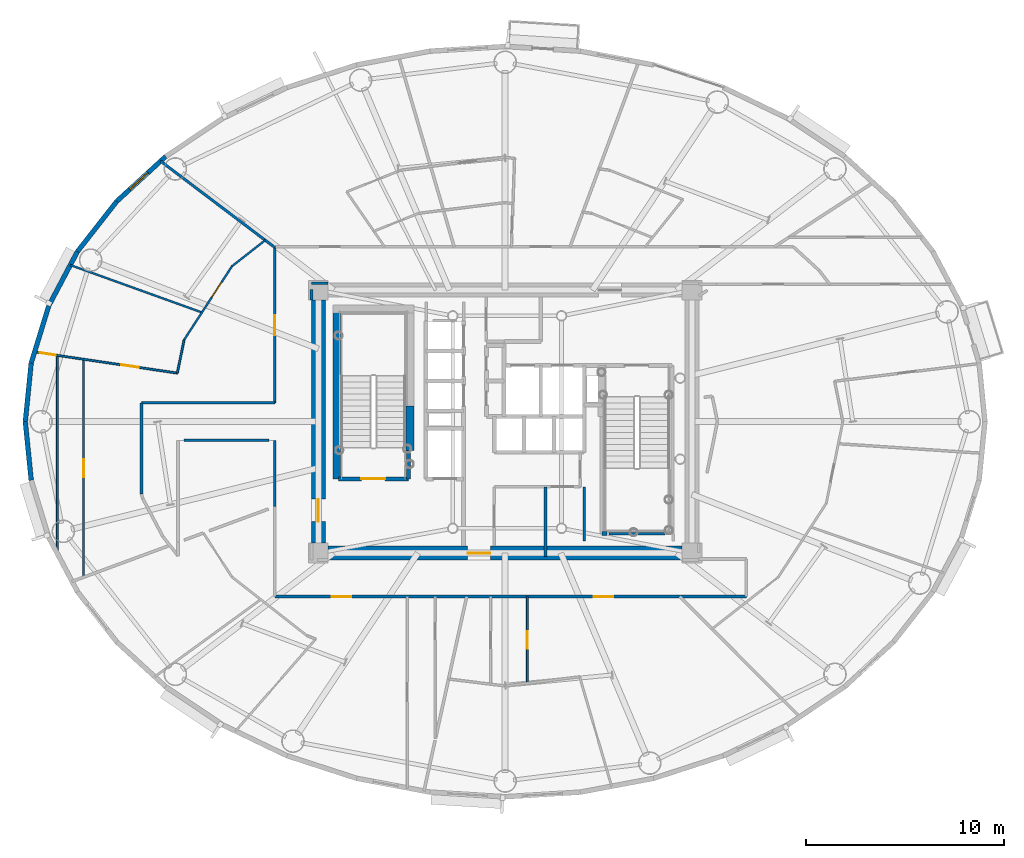
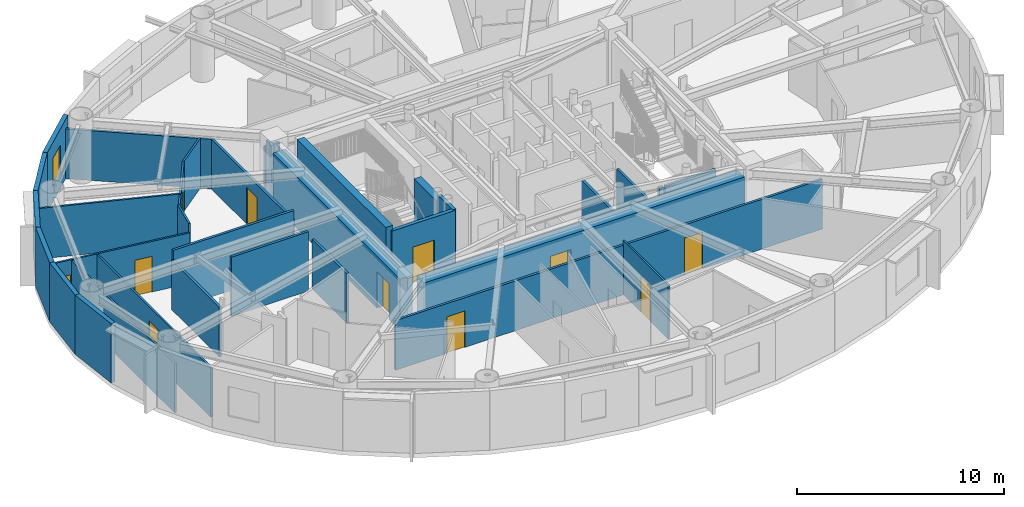
# One storey, part 10 of 22: 33 walls, 11 doors, 1 window, 12 openings.
"""IFC4 building model written with IfcOpenShell, lengths in metres."""

from ifc_helpers import new_model, si_unit, direction, frame, frame_2d, origin, origin_2d, place, context, subcontext, project, spatial, rectangle, extrude, source, transform, mapped, material, layer, layer_set, type_object, element, fill, save


model = new_model("IFC4")

# Units and contexts
model_context = context("Model", 3, precision=1e-05, world=origin(), true_north=direction((0.0, 1.0)))
body_context = subcontext(model_context, "Body", "Model", "MODEL_VIEW")
ifc_project = project(units=[si_unit("LENGTHUNIT", "METRE"), si_unit("AREAUNIT", "SQUARE_METRE"), si_unit("VOLUMEUNIT", "CUBIC_METRE"), si_unit("PLANEANGLEUNIT", "RADIAN"), si_unit("MASSUNIT", "GRAM", prefix="KILO")], contexts=[model_context])

# Site, building, storey
site_placement = place(None, origin())
site = spatial("IfcSite", under=ifc_project, at=site_placement, CompositionType="ELEMENT")
building_placement = place(site_placement, origin())
building = spatial("IfcBuilding", under=site, at=building_placement, Name="Linh Dai School and Residence Tower", CompositionType="ELEMENT")
storey_placement = place(building_placement, frame((0.0, 0.0, 214.050048828125)))
storey = spatial("IfcBuildingStorey", under=building, at=storey_placement, Name="L52", CompositionType="ELEMENT", Elevation=214.050048828125)

# Wall, opening, window
ifc_material_1 = material(Name="Precast Concrete B45 (C35/45)", Category="concrete")
ifc_layer_1 = layer(ifc_material_1, 0.239990234375)
ifc_layer_set_1 = layer_set([ifc_layer_1], Name="Precast Concrete B45 (C35/45)")
wall_type_1 = type_object("IfcWallType", Name="EW-TC-240", PredefinedType="SOLIDWALL", material=ifc_layer_set_1)
wall_1_placement = place(storey_placement, frame((16.3515625, 38.14453125, 0.0), z_axis=(0.0, 0.0, 1.0), x_axis=(0.737123922599, 0.675757591694, 0.0)))
wall_1 = element("IfcWall", 1, at=wall_1_placement, inside=storey, type_object=wall_type_1, Name="L52 Terracotta Exterior Wall 16", PredefinedType="SOLIDWALL", context=body_context, shape_type="SweptSolid", body=[
    extrude(rectangle(XDim=3.353759765625, YDim=0.239990234375, at=frame_2d((1.6767578125, 0.0))), origin(), (0.0, 0.0, 1.0), 3.5),
])
opening_1_placement = place(wall_1_placement, frame((0.8955078125, 0.0, 0.89990234375)))
opening_1 = element("IfcOpeningElement", 2, at=opening_1_placement, cuts=wall_1, Name="Opening W3", PredefinedType="OPENING", context=body_context, shape_type="SweptSolid", body=[
    extrude(rectangle(XDim=1.25, YDim=1.64990234375, at=origin_2d()), frame((0.625, 0.1298828125, 0.824951171875), z_axis=(0.0, -1.0, 0.0), x_axis=(1.0, 0.0, 0.0)), (0.0, 0.0, 1.0), 0.260009765625),
])
ifc_material_2 = material(Name="Double Low-E Insulated Glazing", Category="glass")
window_type = type_object("IfcWindowType", Name="WN-RES-1250x1650", PartitioningType="SINGLE_PANEL", PredefinedType="WINDOW", material=ifc_material_2)
shared_shape_1 = source(origin(), body_context, "Body", "SweptSolid", [
    extrude(rectangle(XDim=1.25, YDim=1.64990234375, at=origin_2d()), frame((0.625, 0.030029296875, 0.824951171875), z_axis=(0.0, -1.0, 0.0), x_axis=(1.0, 0.0, 0.0)), (0.0, 0.0, 1.0), 0.06005859375),
])
window_placement = place(opening_1_placement, origin())
window = element("IfcWindow", 3, at=window_placement, inside=storey, type_object=window_type, Name="L52 Exterior Window 16.1", OverallHeight=1.64990234375, OverallWidth=1.25, PartitioningType="SINGLE_PANEL", PredefinedType="WINDOW", context=body_context, shape_type="MappedRepresentation", body=[
    mapped(shared_shape_1, transform((0.0, 0.0, 0.0), x_axis=(1.0, 0.0, 0.0), y_axis=(0.0, 1.0, 0.0), z_axis=(0.0, 0.0, 1.0), scale=1.0)),
])
fill(opening_1, window)

# Walls
wall_2_placement = place(storey_placement, frame((14.3642578125, 35.605224609375, 0.0), z_axis=(0.0, 0.0, 1.0), x_axis=(0.616312344705, 0.787501805562, 0.0)))
element("IfcWall", 4, at=wall_2_placement, inside=storey, type_object=wall_type_1, Name="L52 Terracotta Exterior Wall 17", PredefinedType="SOLIDWALL", context=body_context, shape_type="SweptSolid", body=[
    extrude(rectangle(XDim=3.224609375, YDim=0.239990234375, at=frame_2d((1.6123046875, 0.0))), origin(), (0.0, 0.0, 1.0), 3.5),
])
wall_3_placement = place(storey_placement, frame((12.90966796875, 32.85595703125, 0.0), z_axis=(0.0, 0.0, 1.0), x_axis=(0.46766049993, 0.883908172157, 0.0)))
element("IfcWall", 5, at=wall_3_placement, inside=storey, type_object=wall_type_1, Name="L52 Terracotta Exterior Wall 18", PredefinedType="SOLIDWALL", context=body_context, shape_type="SweptSolid", body=[
    extrude(rectangle(XDim=3.1103515625, YDim=0.239990234375, at=frame_2d((1.55517578125, 0.0))), origin(), (0.0, 0.0, 1.0), 3.5),
])
wall_4_placement = place(storey_placement, frame((12.02294921875, 29.9638671875, 0.0), z_axis=(0.0, 0.0, 1.0), x_axis=(0.293132907334, 0.95607170162, 0.0)))
element("IfcWall", 6, at=wall_4_placement, inside=storey, type_object=wall_type_1, Name="L52 Terracotta Exterior Wall 19", PredefinedType="SOLIDWALL", context=body_context, shape_type="SweptSolid", body=[
    extrude(rectangle(XDim=3.02490234375, YDim=0.239990234375, at=frame_2d((1.512451171875, 0.0))), origin(), (0.0, 0.0, 1.0), 3.5),
])
for number, where, z_axis, x_axis, name in (
    (7, (11.72509765625, 27.0, 0.0), (0.0, 0.0, 1.0), (0.099990595253, 0.994988382274, 0.0), "L52 Terracotta Exterior Wall 20"),
    (8, (12.02294921875, 24.0361328125, 0.0), (0.0, 0.0, 1.0), (-0.099990595253, 0.994988382274, 0.0), "L52 Terracotta Exterior Wall 21"),
):
    element("IfcWall", number, at=place(storey_placement, frame(where, z_axis=z_axis, x_axis=x_axis)), inside=storey, type_object=wall_type_1, Name=name, PredefinedType="SOLIDWALL", context=body_context, shape_type="SweptSolid", body=[
        extrude(rectangle(XDim=2.978759765625, YDim=0.239990234375, at=frame_2d((1.4892578125, 0.0))), origin(), (0.0, 0.0, 1.0), 3.5),
    ])
ifc_material_3 = material(Name="Autoclaved Aerated Concrete Blockwork", Category="masonry")
ifc_layer_2 = layer(ifc_material_3, 0.135009765625)
ifc_layer_set_2 = layer_set([ifc_layer_2], Name="Autoclaved Aerated Concrete Blockwork")
wall_type_2 = type_object("IfcWallType", Name="IW-CORR-135-EI90", PredefinedType="PARTITIONING", material=ifc_layer_set_2)
wall_5_placement = place(storey_placement, frame((17.60009765625, 23.327880859375, 0.0), z_axis=(0.0, 0.0, 1.0), x_axis=(0.0, 1.0, 0.0)))
element("IfcWall", 9, at=wall_5_placement, inside=storey, type_object=wall_type_2, Name="L52 Interior Partition Wall 006", PredefinedType="PARTITIONING", context=body_context, shape_type="SweptSolid", body=[
    extrude(rectangle(XDim=4.6220703125, YDim=0.135009765625, at=frame_2d((2.31103515625, 0.0))), origin(), (0.0, 0.0, 1.0), 2.93505859375),
])
wall_6_placement = place(storey_placement, frame((17.60009765625, 27.949951171875, 0.0), z_axis=(0.0, 0.0, 1.0), x_axis=(1.0, 0.0, 0.0)))
element("IfcWall", 10, at=wall_6_placement, inside=storey, type_object=wall_type_2, Name="L52 Interior Partition Wall 008", PredefinedType="PARTITIONING", context=body_context, shape_type="SweptSolid", body=[
    extrude(rectangle(XDim=6.75, YDim=0.135009765625, at=frame_2d((3.375, 0.0))), origin(), (0.0, 0.0, 1.0), 3.5),
])
wall_7_placement = place(storey_placement, frame((18.56494140625, 40.180419921875, 0.0), z_axis=(0.0, 0.0, 1.0), x_axis=(0.797711861377, -0.603038793295, 0.0)))
element("IfcWall", 11, at=wall_7_placement, inside=storey, type_object=wall_type_2, Name="L52 Interior Partition Wall 011", PredefinedType="PARTITIONING", context=body_context, shape_type="SweptSolid", body=[
    extrude(rectangle(XDim=7.25244140625, YDim=0.135009765625, at=frame_2d((3.626220703125, 0.0))), origin(), (0.0, 0.0, 1.0), 2.93505859375),
])

# Wall, openings, doors
wall_8_placement = place(storey_placement, frame((24.35009765625, 18.14990234375, 0.0), z_axis=(0.0, 0.0, 1.0), x_axis=(1.0, 0.0, 0.0)))
wall_8 = element("IfcWall", 12, at=wall_8_placement, inside=storey, type_object=wall_type_2, Name="L52 Interior Partition Wall 021", PredefinedType="PARTITIONING", context=body_context, shape_type="SweptSolid", body=[
    extrude(rectangle(XDim=23.849853515625, YDim=0.135009765625, at=frame_2d((11.9248046875, 0.0))), origin(), (0.0, 0.0, 1.0), 2.93505859375),
])
opening_2_placement = place(wall_8_placement, frame((2.86962890625, 0.0, 0.0)))
opening_2 = element("IfcOpeningElement", 13, at=opening_2_placement, cuts=wall_8, Name="Opening D03", PredefinedType="OPENING", context=body_context, shape_type="SweptSolid", body=[
    extrude(rectangle(XDim=1.0, YDim=2.14990234375, at=origin_2d()), frame((0.5, 0.07763671875, 1.074951171875), z_axis=(0.0, -1.0, 0.0), x_axis=(1.0, 0.0, 0.0)), (0.0, 0.0, 1.0), 0.155029296875),
])
opening_3_placement = place(wall_8_placement, frame((16.129638671875, 0.0, 0.0)))
opening_3 = element("IfcOpeningElement", 14, at=opening_3_placement, cuts=wall_8, Name="Opening D03", PredefinedType="OPENING", context=body_context, shape_type="SweptSolid", body=[
    extrude(rectangle(XDim=1.0, YDim=2.14990234375, at=origin_2d()), frame((0.5, 0.07763671875, 1.074951171875), z_axis=(0.0, -1.0, 0.0), x_axis=(1.0, 0.0, 0.0)), (0.0, 0.0, 1.0), 0.155029296875),
])
ifc_material_4 = material(Name="Fire-Rated Solid Timber Entrance Door", Category="wood")
door_type_1 = type_object("IfcDoorType", Name="DR-FLAT-1000x2150-FD60S", OperationType="NOTDEFINED", PredefinedType="DOOR", material=ifc_material_4)
shared_shape_2 = source(origin(), body_context, "Body", "SweptSolid", [
    extrude(rectangle(XDim=1.0, YDim=2.14990234375, at=origin_2d()), frame((0.5, 0.02490234375, 1.074951171875), z_axis=(0.0, -1.0, 0.0), x_axis=(1.0, 0.0, 0.0)), (0.0, 0.0, 1.0), 0.050048828125),
])
door_1_placement = place(opening_2_placement, origin())
door_1 = element("IfcDoor", 15, at=door_1_placement, inside=storey, type_object=door_type_1, Name="L52 U5205 Apartment Entrance Door", OperationType="SINGLE_SWING_RIGHT", OverallHeight=2.14990234375, OverallWidth=1.0, PredefinedType="DOOR", context=body_context, shape_type="MappedRepresentation", body=[
    mapped(shared_shape_2, transform((0.0, 0.0, 0.0), x_axis=(1.0, 0.0, 0.0), y_axis=(0.0, 1.0, 0.0), z_axis=(0.0, 0.0, 1.0), scale=1.0)),
])
fill(opening_2, door_1)
door_2_placement = place(opening_3_placement, origin())
door_2 = element("IfcDoor", 16, at=door_2_placement, inside=storey, type_object=door_type_1, Name="L52 U5206 Apartment Entrance Door", OperationType="SINGLE_SWING_LEFT", OverallHeight=2.14990234375, OverallWidth=1.0, PredefinedType="DOOR", context=body_context, shape_type="MappedRepresentation", body=[
    mapped(shared_shape_2, transform((0.0, 0.0, 0.0), x_axis=(1.0, 0.0, 0.0), y_axis=(0.0, 1.0, 0.0), z_axis=(0.0, 0.0, 1.0), scale=1.0)),
])
fill(opening_3, door_2)

# Wall, opening, door
wall_9_placement = place(storey_placement, frame((24.35009765625, 27.949951171875, 0.0), z_axis=(0.0, 0.0, 1.0), x_axis=(0.0, 1.0, 0.0)))
wall_9 = element("IfcWall", 17, at=wall_9_placement, inside=storey, type_object=wall_type_2, Name="L52 Interior Partition Wall 022", PredefinedType="PARTITIONING", context=body_context, shape_type="SweptSolid", body=[
    extrude(rectangle(XDim=7.857177734375, YDim=0.135009765625, at=frame_2d((3.9287109375, 0.0))), origin(), (0.0, 0.0, 1.0), 2.93505859375),
])
opening_4_placement = place(wall_9_placement, frame((3.4287109375, 0.0, 0.0)))
opening_4 = element("IfcOpeningElement", 18, at=opening_4_placement, cuts=wall_9, Name="Opening D03", PredefinedType="OPENING", context=body_context, shape_type="SweptSolid", body=[
    extrude(rectangle(XDim=1.0, YDim=2.14990234375, at=origin_2d()), frame((0.5, 0.07763671875, 1.074951171875), z_axis=(0.0, -1.0, 0.0), x_axis=(1.0, 0.0, 0.0)), (0.0, 0.0, 1.0), 0.155029296875),
])
door_3_placement = place(opening_4_placement, origin())
door_3 = element("IfcDoor", 19, at=door_3_placement, inside=storey, type_object=door_type_1, Name="L52 U5204 Apartment Entrance Door", OperationType="SINGLE_SWING_LEFT", OverallHeight=2.14990234375, OverallWidth=1.0, PredefinedType="DOOR", context=body_context, shape_type="MappedRepresentation", body=[
    mapped(shared_shape_2, transform((0.0, 0.0, 0.0), x_axis=(1.0, 0.0, 0.0), y_axis=(0.0, 1.0, 0.0), z_axis=(0.0, 0.0, 1.0), scale=1.0)),
])
fill(opening_4, door_3)

# Walls
wall_10_placement = place(storey_placement, frame((44.080078125, 21.330078125, 0.0), z_axis=(0.0, 0.0, 1.0), x_axis=(-1.0, 0.0, 0.0)))
element("IfcWall", 20, at=wall_10_placement, inside=storey, type_object=wall_type_2, Name="L52 Interior Partition Wall 098", PredefinedType="PARTITIONING", context=body_context, shape_type="SweptSolid", body=[
    extrude(rectangle(XDim=2.820068359375, YDim=0.135009765625, at=frame_2d((1.41015625, 0.0))), origin(), (0.0, 0.0, 1.0), 3.034912109375),
])
wall_11_placement = place(storey_placement, frame((40.0, 23.699951171875, 0.0), z_axis=(0.0, 0.0, 1.0), x_axis=(0.0, -1.0, 0.0)))
element("IfcWall", 21, at=wall_11_placement, inside=storey, type_object=wall_type_2, Name="L52 Interior Partition Wall 100", PredefinedType="PARTITIONING", context=body_context, shape_type="SweptSolid", body=[
    extrude(rectangle(XDim=2.739990234375, YDim=0.135009765625, at=frame_2d((1.3701171875, 0.0))), origin(), (0.0, 0.0, 1.0), 3.034912109375),
])
wall_12_placement = place(storey_placement, frame((27.0400390625, 34.0, 0.0), z_axis=(0.0, 0.0, 1.0), x_axis=(-1.0, 0.0, 0.0)))
element("IfcWall", 22, at=wall_12_placement, inside=storey, type_object=wall_type_2, Name="L52 Interior Partition Wall 107", PredefinedType="PARTITIONING", context=body_context, shape_type="SweptSolid", body=[
    extrude(rectangle(XDim=0.840087890625, YDim=0.135009765625, at=frame_2d((0.419921875, 0.0))), origin(), (0.0, 0.0, 1.0), 2.93505859375),
])
wall_13_placement = place(storey_placement, frame((26.199951171875, 33.6923828125, 0.0), z_axis=(0.0, 0.0, 1.0), x_axis=(0.0, -1.0, 0.0)))
element("IfcWall", 23, at=wall_13_placement, inside=storey, type_object=wall_type_2, Name="L52 Interior Partition Wall 108", PredefinedType="PARTITIONING", context=body_context, shape_type="SweptSolid", body=[
    extrude(rectangle(XDim=0.532470703125, YDim=0.135009765625, at=frame_2d((0.26611328125, 0.0))), origin(), (0.0, 0.0, 1.0), 3.5),
])
wall_14_placement = place(storey_placement, frame((24.35009765625, 22.71044921875, 0.0), z_axis=(0.0, 0.0, 1.0), x_axis=(0.0, 1.0, 0.0)))
element("IfcWall", 24, at=wall_14_placement, inside=storey, type_object=wall_type_2, Name="L52 Interior Partition Wall 112", PredefinedType="PARTITIONING", context=body_context, shape_type="SweptSolid", body=[
    extrude(rectangle(XDim=3.339599609375, YDim=0.135009765625, at=frame_2d((1.669921875, 0.0))), origin(), (0.0, 0.0, 1.0), 2.93505859375),
])
wall_15_placement = place(storey_placement, frame((24.04248046875, 26.050048828125, 0.0), z_axis=(0.0, 0.0, 1.0), x_axis=(-1.0, 0.0, 0.0)))
element("IfcWall", 25, at=wall_15_placement, inside=storey, type_object=wall_type_2, Name="L52 Interior Partition Wall 113", PredefinedType="PARTITIONING", context=body_context, shape_type="SweptSolid", body=[
    extrude(rectangle(XDim=4.284912109375, YDim=0.135009765625, at=frame_2d((2.142578125, 0.0))), origin(), (0.0, 0.0, 1.0), 3.5),
])
ifc_layer_3 = layer(ifc_material_3, 0.14990234375)
ifc_layer_set_3 = layer_set([ifc_layer_3], Name="Autoclaved Aerated Concrete Blockwork")
wall_type_3 = type_object("IfcWallType", Name="IW-SCH-150-EI60", PredefinedType="PARTITIONING", material=ifc_layer_set_3)
wall_16_placement = place(storey_placement, frame((38.050048828125, 20.179931640625, 0.0), z_axis=(0.0, 0.0, 1.0), x_axis=(0.0, 1.0, 0.0)))
element("IfcWall", 26, at=wall_16_placement, inside=storey, type_object=wall_type_3, Name="L52 Interior Partition Wall 067", PredefinedType="PARTITIONING", context=body_context, shape_type="SweptSolid", body=[
    extrude(rectangle(XDim=3.52001953125, YDim=0.14990234375, at=frame_2d((1.760009765625, 0.0))), origin(), (0.0, 0.0, 1.0), 3.034912109375),
])

# Wall, opening, door
ifc_material_5 = material(Name="Concrete B45 (C35/45)", Category="concrete")
ifc_layer_4 = layer(ifc_material_5, 0.199951171875)
ifc_layer_set_4 = layer_set([ifc_layer_4], Name="Concrete B45 (C35/45)")
wall_type_4 = type_object("IfcWallType", Name="IW-SHAFT-200-EI120", PredefinedType="PARTITIONING", material=ifc_layer_set_4)
wall_17_placement = place(storey_placement, frame((27.56005859375, 24.10009765625, 0.0), z_axis=(0.0, 0.0, 1.0), x_axis=(1.0, 0.0, 0.0)))
wall_17 = element("IfcWall", 27, at=wall_17_placement, inside=storey, type_object=wall_type_4, Name="L52 Interior Partition Wall 025", PredefinedType="PARTITIONING", context=body_context, shape_type="SweptSolid", body=[
    extrude(rectangle(XDim=3.5400390625, YDim=0.199951171875, at=frame_2d((1.77001953125, 0.0))), origin(), (0.0, 0.0, 1.0), 3.5),
])
opening_5_placement = place(wall_17_placement, frame((1.169921875, 0.0, 0.0)))
opening_5 = element("IfcOpeningElement", 28, at=opening_5_placement, cuts=wall_17, Name="Opening D01", PredefinedType="OPENING", context=body_context, shape_type="SweptSolid", body=[
    extrude(rectangle(XDim=1.199951171875, YDim=2.14990234375, at=origin_2d()), frame((0.60009765625, 0.10986328125, 1.074951171875), z_axis=(0.0, -1.0, 0.0), x_axis=(1.0, 0.0, 0.0)), (0.0, 0.0, 1.0), 0.219970703125),
])
ifc_material_6 = material(Name="Fire-Rated Steel Door Leaf", Category="steel")
door_type_2 = type_object("IfcDoorType", Name="DR-STAIR-1200x2150-FD90S", OperationType="NOTDEFINED", PredefinedType="DOOR", material=ifc_material_6)
shared_shape_3 = source(origin(), body_context, "Body", "SweptSolid", [
    extrude(rectangle(XDim=1.199951171875, YDim=2.14990234375, at=origin_2d()), frame((0.60009765625, 0.02490234375, 1.074951171875), z_axis=(0.0, -1.0, 0.0), x_axis=(1.0, 0.0, 0.0)), (0.0, 0.0, 1.0), 0.050048828125),
])
door_4_placement = place(opening_5_placement, origin())
door_4 = element("IfcDoor", 29, at=door_4_placement, inside=storey, type_object=door_type_2, Name="L52 Core Smokeproof Exit Stair ST1 Door", OperationType="SINGLE_SWING_RIGHT", OverallHeight=2.14990234375, OverallWidth=1.199951171875, PredefinedType="DOOR", context=body_context, shape_type="MappedRepresentation", body=[
    mapped(shared_shape_3, transform((0.0, 0.0, 0.0), x_axis=(1.0, 0.0, 0.0), y_axis=(0.0, 1.0, 0.0), z_axis=(0.0, 0.0, 1.0), scale=1.0)),
])
fill(opening_5, door_4)

# Walls
wall_18_placement = place(storey_placement, frame((31.10009765625, 24.10009765625, 0.0), z_axis=(0.0, 0.0, 1.0), x_axis=(0.0, 1.0, 0.0)))
element("IfcWall", 30, at=wall_18_placement, inside=storey, type_object=wall_type_4, Name="L52 Interior Partition Wall 032", PredefinedType="PARTITIONING", context=body_context, shape_type="SweptSolid", body=[
    extrude(rectangle(XDim=1.43994140625, YDim=0.199951171875, at=frame_2d((0.719970703125, 0.0))), origin(), (0.0, 0.0, 1.0), 3.5),
])
wall_19_placement = place(storey_placement, frame((40.89990234375, 21.330078125, 0.0), z_axis=(0.0, 0.0, 1.0), x_axis=(1.0, 0.0, 0.0)))
element("IfcWall", 31, at=wall_19_placement, inside=storey, type_object=wall_type_4, Name="L52 Interior Partition Wall 078", PredefinedType="PARTITIONING", context=body_context, shape_type="SweptSolid", body=[
    extrude(rectangle(XDim=0.25, YDim=0.199951171875, at=frame_2d((0.125, 0.0))), origin(), (0.0, 0.0, 1.0), 3.034912109375),
])

# Wall, openings, doors
ifc_material_7 = material(Name="Gypsum Plasterboard Acoustic Stud Partition", Category="masonry")
ifc_layer_5 = layer(ifc_material_7, 0.10009765625)
ifc_layer_set_5 = layer_set([ifc_layer_5], Name="Gypsum Plasterboard Acoustic Stud Partition")
wall_type_5 = type_object("IfcWallType", Name="IW-UNIT-100", PredefinedType="PARTITIONING", material=ifc_layer_set_5)
wall_20_placement = place(storey_placement, frame((12.189208984375, 30.52294921875, 0.0), z_axis=(0.0, 0.0, 1.0), x_axis=(0.98923000083, -0.146369414352, 0.0)))
wall_20 = element("IfcWall", 32, at=wall_20_placement, inside=storey, type_object=wall_type_5, Name="L52 Interior Partition Wall 001", PredefinedType="PARTITIONING", context=body_context, shape_type="SweptSolid", body=[
    extrude(rectangle(XDim=7.3056640625, YDim=0.10009765625, at=frame_2d((3.65283203125, 0.0))), origin(), (0.0, 0.0, 1.0), 2.98486328125),
])
opening_6_placement = place(wall_20_placement, frame((4.436767578125, 0.0, 0.0)))
opening_6 = element("IfcOpeningElement", 33, at=opening_6_placement, cuts=wall_20, Name="Opening D05", PredefinedType="OPENING", context=body_context, shape_type="SweptSolid", body=[
    extrude(rectangle(XDim=0.89990234375, YDim=2.10009765625, at=origin_2d()), frame((0.449951171875, 0.06005859375, 1.050048828125), z_axis=(0.0, -1.0, 0.0), x_axis=(1.0, 0.0, 0.0)), (0.0, 0.0, 1.0), 0.1201171875),
])
opening_7_placement = place(wall_20_placement, frame((0.27197265625, 0.0, 0.0)))
opening_7 = element("IfcOpeningElement", 34, at=opening_7_placement, cuts=wall_20, Name="Opening D06", PredefinedType="OPENING", context=body_context, shape_type="SweptSolid", body=[
    extrude(rectangle(XDim=0.820068359375, YDim=2.10009765625, at=origin_2d()), frame((0.41015625, 0.06005859375, 1.050048828125), z_axis=(0.0, -1.0, 0.0), x_axis=(1.0, 0.0, 0.0)), (0.0, 0.0, 1.0), 0.1201171875),
])
ifc_material_8 = material(Name="Moisture-Resistant Timber Bathroom Door", Category="wood")
door_type_3 = type_object("IfcDoorType", Name="DR-WET-820x2100", OperationType="NOTDEFINED", PredefinedType="DOOR", material=ifc_material_8)
shared_shape_4 = source(origin(), body_context, "Body", "SweptSolid", [
    extrude(rectangle(XDim=0.820068359375, YDim=2.10009765625, at=origin_2d()), frame((0.41015625, 0.02490234375, 1.050048828125), z_axis=(0.0, -1.0, 0.0), x_axis=(1.0, 0.0, 0.0)), (0.0, 0.0, 1.0), 0.050048828125),
])
door_5_placement = place(opening_7_placement, origin())
door_5 = element("IfcDoor", 35, at=door_5_placement, inside=storey, type_object=door_type_3, Name="L52 Apartment U5204 Bathroom 1 Door", OperationType="SINGLE_SWING_RIGHT", OverallHeight=2.10009765625, OverallWidth=0.820068359375, PredefinedType="DOOR", context=body_context, shape_type="MappedRepresentation", body=[
    mapped(shared_shape_4, transform((0.0, 0.0, 0.0), x_axis=(1.0, 0.0, 0.0), y_axis=(0.0, 1.0, 0.0), z_axis=(0.0, 0.0, 1.0), scale=1.0)),
])
fill(opening_7, door_5)
ifc_material_9 = material(Name="Engineered Timber Internal Door", Category="wood")
door_type_4 = type_object("IfcDoorType", Name="DR-INT-900x2100", OperationType="NOTDEFINED", PredefinedType="DOOR", material=ifc_material_9)
shared_shape_5 = source(origin(), body_context, "Body", "SweptSolid", [
    extrude(rectangle(XDim=0.89990234375, YDim=2.10009765625, at=origin_2d()), frame((0.449951171875, 0.02490234375, 1.050048828125), z_axis=(0.0, -1.0, 0.0), x_axis=(1.0, 0.0, 0.0)), (0.0, 0.0, 1.0), 0.050048828125),
])
door_6_placement = place(opening_6_placement, origin())
door_6 = element("IfcDoor", 36, at=door_6_placement, inside=storey, type_object=door_type_4, Name="L52 Apartment U5204 Study Door", OperationType="SINGLE_SWING_LEFT", OverallHeight=2.10009765625, OverallWidth=0.89990234375, PredefinedType="DOOR", context=body_context, shape_type="MappedRepresentation", body=[
    mapped(shared_shape_5, transform((0.0, 0.0, 0.0), x_axis=(1.0, 0.0, 0.0), y_axis=(0.0, 1.0, 0.0), z_axis=(0.0, 0.0, 1.0), scale=1.0)),
])
fill(opening_6, door_6)

# Walls
wall_21_placement = place(storey_placement, frame((13.35009765625, 20.30126953125, 0.0), z_axis=(0.0, 0.0, 1.0), x_axis=(0.0, 1.0, 0.0)))
element("IfcWall", 37, at=wall_21_placement, inside=storey, type_object=wall_type_5, Name="L52 Interior Partition Wall 002", PredefinedType="PARTITIONING", context=body_context, shape_type="SweptSolid", body=[
    extrude(rectangle(XDim=10.0498046875, YDim=0.10009765625, at=frame_2d((5.02490234375, 0.0))), origin(), (0.0, 0.0, 1.0), 2.93505859375),
])
wall_22_placement = place(storey_placement, frame((13.996826171875, 34.92138671875, 0.0), z_axis=(0.0, 0.0, 1.0), x_axis=(0.940885654064, -0.338724351023, 0.0)))
element("IfcWall", 38, at=wall_22_placement, inside=storey, type_object=wall_type_5, Name="L52 Interior Partition Wall 003", PredefinedType="PARTITIONING", context=body_context, shape_type="SweptSolid", body=[
    extrude(rectangle(XDim=7.082275390625, YDim=0.10009765625, at=frame_2d((3.541015625, 0.0))), origin(), (0.0, 0.0, 1.0), 2.98486328125),
])

# Wall, opening, door
wall_23_placement = place(storey_placement, frame((14.669921875, 19.128173828125, 0.0), z_axis=(0.0, 0.0, 1.0), x_axis=(0.0, 1.0, 0.0)))
wall_23 = element("IfcWall", 39, at=wall_23_placement, inside=storey, type_object=wall_type_5, Name="L52 Interior Partition Wall 005", PredefinedType="PARTITIONING", context=body_context, shape_type="SweptSolid", body=[
    extrude(rectangle(XDim=11.027587890625, YDim=0.10009765625, at=frame_2d((5.513671875, 0.0))), origin(), (0.0, 0.0, 1.0), 2.93505859375),
])
opening_8_placement = place(wall_23_placement, frame((5.063720703125, 0.0, 0.0)))
opening_8 = element("IfcOpeningElement", 40, at=opening_8_placement, cuts=wall_23, Name="Opening D05", PredefinedType="OPENING", context=body_context, shape_type="SweptSolid", body=[
    extrude(rectangle(XDim=0.89990234375, YDim=2.10009765625, at=origin_2d()), frame((0.449951171875, 0.06005859375, 1.050048828125), z_axis=(0.0, -1.0, 0.0), x_axis=(1.0, 0.0, 0.0)), (0.0, 0.0, 1.0), 0.1201171875),
])
door_7_placement = place(opening_8_placement, origin())
door_7 = element("IfcDoor", 41, at=door_7_placement, inside=storey, type_object=door_type_4, Name="L52 Apartment U5204 Kitchen Door", OperationType="SINGLE_SWING_LEFT", OverallHeight=2.10009765625, OverallWidth=0.89990234375, PredefinedType="DOOR", context=body_context, shape_type="MappedRepresentation", body=[
    mapped(shared_shape_5, transform((0.0, 0.0, 0.0), x_axis=(1.0, 0.0, 0.0), y_axis=(0.0, 1.0, 0.0), z_axis=(0.0, 0.0, 1.0), scale=1.0)),
])
fill(opening_8, door_7)

# Wall
wall_24_placement = place(storey_placement, frame((19.416259765625, 29.45361328125, 0.0), z_axis=(0.0, 0.0, 1.0), x_axis=(0.198253557863, 0.980150767379, 0.0)))
element("IfcWall", 42, at=wall_24_placement, inside=storey, type_object=wall_type_5, Name="L52 Interior Partition Wall 013", PredefinedType="PARTITIONING", context=body_context, shape_type="SweptSolid", body=[
    extrude(rectangle(XDim=1.712890625, YDim=0.10009765625, at=frame_2d((0.8564453125, 0.0))), origin(), (0.0, 0.0, 1.0), 3.5),
])

# Wall, opening, door
wall_25_placement = place(storey_placement, frame((19.755859375, 31.132568359375, 0.0), z_axis=(0.0, 0.0, 1.0), x_axis=(0.545406924684, 0.83817139447, 0.0)))
wall_25 = element("IfcWall", 43, at=wall_25_placement, inside=storey, type_object=wall_type_5, Name="L52 Interior Partition Wall 015", PredefinedType="PARTITIONING", context=body_context, shape_type="SweptSolid", body=[
    extrude(rectangle(XDim=4.447998046875, YDim=0.10009765625, at=frame_2d((2.22412109375, 0.0))), origin(), (0.0, 0.0, 1.0), 2.93505859375),
])
opening_9_placement = place(wall_25_placement, frame((2.5830078125, 0.0, 0.0)))
opening_9 = element("IfcOpeningElement", 44, at=opening_9_placement, cuts=wall_25, Name="Opening D05", PredefinedType="OPENING", context=body_context, shape_type="SweptSolid", body=[
    extrude(rectangle(XDim=0.89990234375, YDim=2.10009765625, at=origin_2d()), frame((0.449951171875, 0.06005859375, 1.050048828125), z_axis=(0.0, -1.0, 0.0), x_axis=(1.0, 0.0, 0.0)), (0.0, 0.0, 1.0), 0.1201171875),
])
door_8_placement = place(opening_9_placement, origin())
door_8 = element("IfcDoor", 45, at=door_8_placement, inside=storey, type_object=door_type_4, Name="L52 Apartment U5204 Principal Bedroom 1 Door", OperationType="SINGLE_SWING_RIGHT", OverallHeight=2.10009765625, OverallWidth=0.89990234375, PredefinedType="DOOR", context=body_context, shape_type="MappedRepresentation", body=[
    mapped(shared_shape_5, transform((0.0, 0.0, 0.0), x_axis=(1.0, 0.0, 0.0), y_axis=(0.0, 1.0, 0.0), z_axis=(0.0, 0.0, 1.0), scale=1.0)),
])
fill(opening_9, door_8)

# Wall
wall_26_placement = place(storey_placement, frame((22.181884765625, 34.86083984375, 0.0), z_axis=(0.0, 0.0, 1.0), x_axis=(0.787401156588, 0.616440928722, 0.0)))
element("IfcWall", 46, at=wall_26_placement, inside=storey, type_object=wall_type_5, Name="L52 Interior Partition Wall 018", PredefinedType="PARTITIONING", context=body_context, shape_type="SweptSolid", body=[
    extrude(rectangle(XDim=2.133544921875, YDim=0.10009765625, at=frame_2d((1.06689453125, 0.0))), origin(), (0.0, 0.0, 1.0), 2.93505859375),
])

# Wall, opening, door
wall_27_placement = place(storey_placement, frame((37.125732421875, 13.76611328125, 0.0), z_axis=(0.0, 0.0, 1.0), x_axis=(0.0, 1.0, 0.0)))
wall_27 = element("IfcWall", 47, at=wall_27_placement, inside=storey, type_object=wall_type_5, Name="L52 Interior Partition Wall 064", PredefinedType="PARTITIONING", context=body_context, shape_type="SweptSolid", body=[
    extrude(rectangle(XDim=4.3837890625, YDim=0.10009765625, at=frame_2d((2.19189453125, 0.0))), origin(), (0.0, 0.0, 1.0), 3.18505859375),
])
opening_10_placement = place(wall_27_placement, frame((1.741943359375, 0.0, 0.0)))
opening_10 = element("IfcOpeningElement", 48, at=opening_10_placement, cuts=wall_27, Name="Opening D05", PredefinedType="OPENING", context=body_context, shape_type="SweptSolid", body=[
    extrude(rectangle(XDim=0.89990234375, YDim=2.10009765625, at=origin_2d()), frame((0.449951171875, 0.06005859375, 1.050048828125), z_axis=(0.0, -1.0, 0.0), x_axis=(1.0, 0.0, 0.0)), (0.0, 0.0, 1.0), 0.1201171875),
])
door_9_placement = place(opening_10_placement, origin())
door_9 = element("IfcDoor", 49, at=door_9_placement, inside=storey, type_object=door_type_4, Name="L52 Apartment U5206 Kitchen Door", OperationType="SINGLE_SWING_LEFT", OverallHeight=2.10009765625, OverallWidth=0.89990234375, PredefinedType="DOOR", context=body_context, shape_type="MappedRepresentation", body=[
    mapped(shared_shape_5, transform((0.0, 0.0, 0.0), x_axis=(1.0, 0.0, 0.0), y_axis=(0.0, 1.0, 0.0), z_axis=(0.0, 0.0, 1.0), scale=1.0)),
])
fill(opening_10, door_9)

# Walls
ifc_layer_6 = layer(ifc_material_5, 0.39990234375)
ifc_layer_set_6 = layer_set([ifc_layer_6], Name="Concrete B45 (C35/45)")
wall_type_6 = type_object("IfcWallType", Name="WL-CORE400", PredefinedType="SHEAR", material=ifc_layer_set_6)
wall_28_placement = place(storey_placement, frame((27.47998046875, 24.10009765625, 0.0), z_axis=(0.0, 0.0, 1.0), x_axis=(0.0, 1.0, 0.0)))
element("IfcWall", 50, at=wall_28_placement, inside=storey, type_object=wall_type_6, Name="L52 Core Stair ST1 Bearing Wall W", PredefinedType="SHEAR", context=body_context, shape_type="SweptSolid", body=[
    extrude(rectangle(XDim=8.599853515625, YDim=0.39990234375, at=frame_2d((4.2998046875, 0.0))), origin(), (0.0, 0.0, 1.0), 3.75),
])
wall_29_placement = place(storey_placement, frame((31.179931640625, 25.550048828125, 0.0), z_axis=(0.0, 0.0, 1.0), x_axis=(0.0, 1.0, 0.0)))
element("IfcWall", 51, at=wall_29_placement, inside=storey, type_object=wall_type_6, Name="L52 Internal Core Shear Wall IW", PredefinedType="SHEAR", context=body_context, shape_type="SweptSolid", body=[
    extrude(rectangle(XDim=2.25, YDim=0.39990234375, at=frame_2d((1.125, 0.0))), origin(), (0.0, 0.0, 1.0), 3.099853515625),
])

# Wall, opening, door
ifc_layer_7 = layer(ifc_material_5, 0.699951171875)
ifc_layer_set_7 = layer_set([ifc_layer_7], Name="Concrete B45 (C35/45)")
wall_type_7 = type_object("IfcWallType", Name="WL-CORE700", PredefinedType="SHEAR", material=ifc_layer_set_7)
wall_30_placement = place(storey_placement, frame((44.949951171875, 20.35009765625, 0.0), z_axis=(0.0, 0.0, 1.0), x_axis=(-1.0, 0.0, 0.0)))
wall_30 = element("IfcWall", 52, at=wall_30_placement, inside=storey, type_object=wall_type_7, Name="L52 Central Core Shear Wall S", PredefinedType="SHEAR", context=body_context, shape_type="SweptSolid", body=[
    extrude(rectangle(XDim=17.89990234375, YDim=0.699951171875, at=frame_2d((8.949951171875, 0.0))), origin(), (0.0, 0.0, 1.0), 3.050048828125),
])
opening_11_placement = place(wall_30_placement, frame((9.699951171875, 0.0, 0.0)))
opening_11 = element("IfcOpeningElement", 53, at=opening_11_placement, cuts=wall_30, Name="Opening D02", PredefinedType="OPENING", context=body_context, shape_type="SweptSolid", body=[
    extrude(rectangle(XDim=1.14990234375, YDim=2.14990234375, at=origin_2d()), frame((0.574951171875, 0.35986328125, 1.074951171875), z_axis=(0.0, -1.0, 0.0), x_axis=(1.0, 0.0, 0.0)), (0.0, 0.0, 1.0), 0.719970703125),
])
ifc_material_10 = material(Name="Fire-Rated Glazed Steel Lobby Door", Category="steel")
door_type_5 = type_object("IfcDoorType", Name="DR-LOBBY-1150x2150-FD90S", OperationType="NOTDEFINED", PredefinedType="DOOR", material=ifc_material_10)
shared_shape_6 = source(origin(), body_context, "Body", "SweptSolid", [
    extrude(rectangle(XDim=1.14990234375, YDim=2.14990234375, at=origin_2d()), frame((0.574951171875, 0.02490234375, 1.074951171875), z_axis=(0.0, -1.0, 0.0), x_axis=(1.0, 0.0, 0.0)), (0.0, 0.0, 1.0), 0.050048828125),
])
door_10_placement = place(opening_11_placement, origin())
door_10 = element("IfcDoor", 54, at=door_10_placement, inside=storey, type_object=door_type_5, Name="L52 Passenger Foyer Access Door", OperationType="SINGLE_SWING_LEFT", OverallHeight=2.14990234375, OverallWidth=1.14990234375, PredefinedType="DOOR", context=body_context, shape_type="MappedRepresentation", body=[
    mapped(shared_shape_6, transform((0.0, 0.0, 0.0), x_axis=(1.0, 0.0, 0.0), y_axis=(0.0, 1.0, 0.0), z_axis=(0.0, 0.0, 1.0), scale=1.0)),
])
fill(opening_11, door_10)

wall_31_placement = place(storey_placement, frame((26.550048828125, 20.85009765625, 0.0), z_axis=(0.0, 0.0, 1.0), x_axis=(0.0, 1.0, 0.0)))
wall_31 = element("IfcWall", 55, at=wall_31_placement, inside=storey, type_object=wall_type_7, Name="L52 Central Core Shear Wall W", PredefinedType="SHEAR", context=body_context, shape_type="SweptSolid", body=[
    extrude(rectangle(XDim=12.2998046875, YDim=0.699951171875, at=frame_2d((6.14990234375, 0.0))), origin(), (0.0, 0.0, 1.0), 3.050048828125),
])
opening_12_placement = place(wall_31_placement, frame((1.085205078125, 0.0, 0.0)))
opening_12 = element("IfcOpeningElement", 56, at=opening_12_placement, cuts=wall_31, Name="Opening D02", PredefinedType="OPENING", context=body_context, shape_type="SweptSolid", body=[
    extrude(rectangle(XDim=1.14990234375, YDim=2.14990234375, at=origin_2d()), frame((0.574951171875, 0.35986328125, 1.074951171875), z_axis=(0.0, -1.0, 0.0), x_axis=(1.0, 0.0, 0.0)), (0.0, 0.0, 1.0), 0.719970703125),
])
door_11_placement = place(opening_12_placement, origin())
door_11 = element("IfcDoor", 57, at=door_11_placement, inside=storey, type_object=door_type_5, Name="L52 Firefighting Lobby Door", OperationType="SINGLE_SWING_LEFT", OverallHeight=2.14990234375, OverallWidth=1.14990234375, PredefinedType="DOOR", context=body_context, shape_type="MappedRepresentation", body=[
    mapped(shared_shape_6, transform((0.0, 0.0, 0.0), x_axis=(1.0, 0.0, 0.0), y_axis=(0.0, 1.0, 0.0), z_axis=(0.0, 0.0, 1.0), scale=1.0)),
])
fill(opening_12, door_11)

save(model, "model.ifc")
